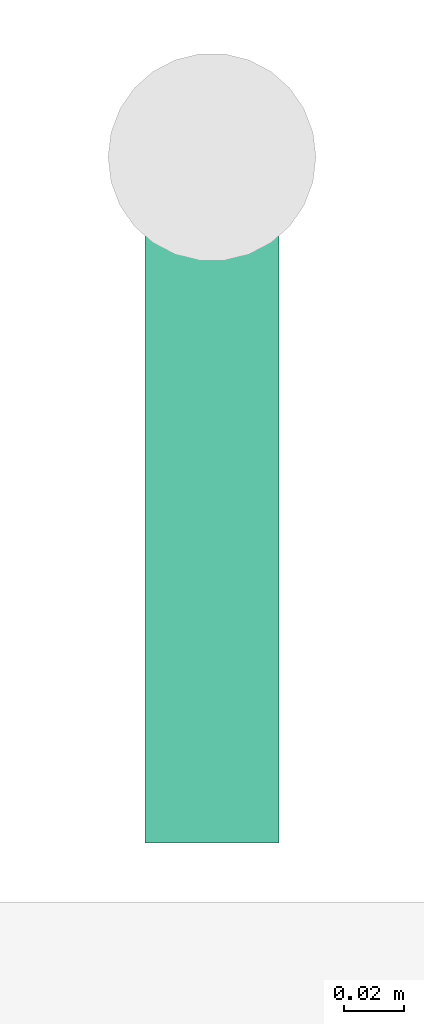
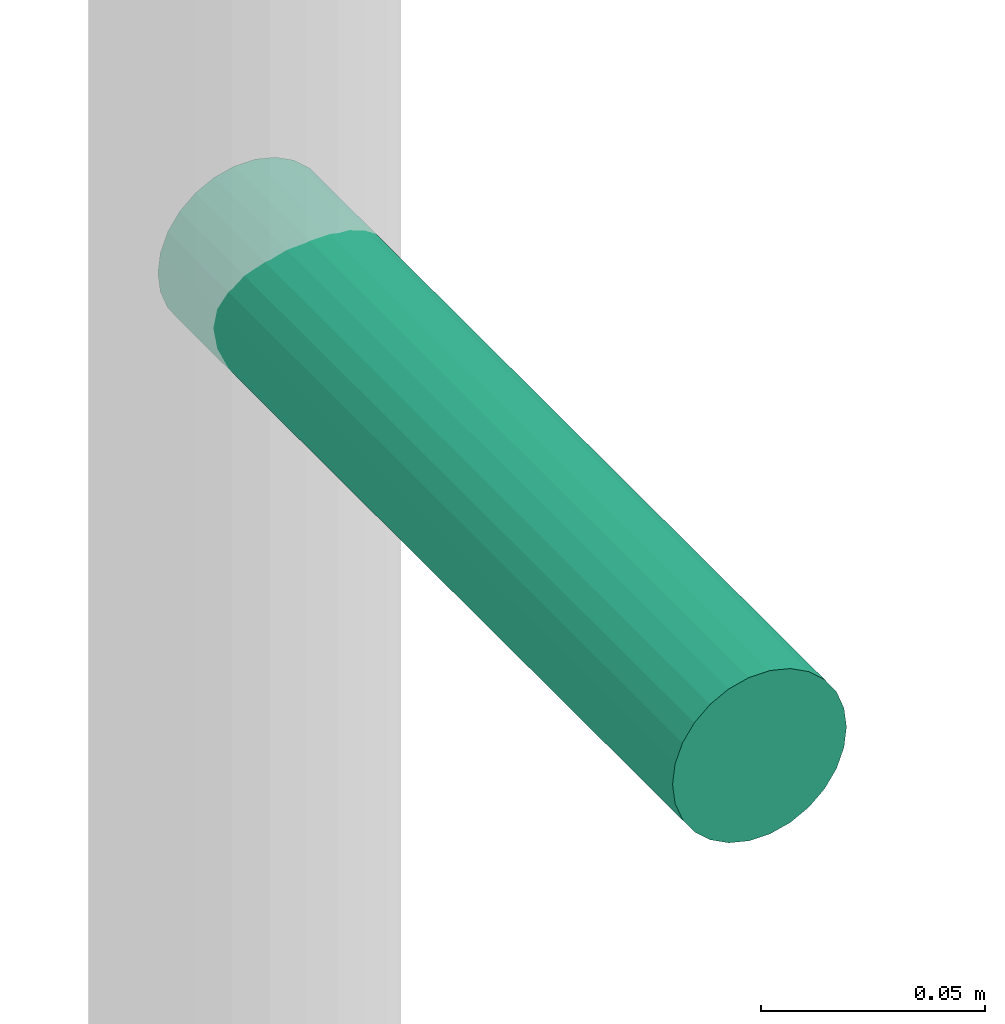
# One storey, part 30 of 31: 1 pipe fitting.
"""IFC4 building model written with IfcOpenShell, lengths in metres."""

import ifcopenshell
import ifcopenshell.guid

model = None  # the IFC model being written
_history = None  # IfcOwnerHistory: only IFC2X3 demands one
_inside = {}  # id of a spatial element -> (the spatial element, [elements in it])
_under = {}  # id of a project, library or spatial element -> (it, [spatial elements below it])
_declared = {}  # id of a project -> (the project, [libraries it declares])
_typed = {}  # id of a type object -> (the type object, [elements of that type])
_made_of = {}  # id of a material, layer set ... -> (it, [elements and type objects made of it])


def new_model(schema):
    """Start an empty IFC model of exactly this schema.

    Asked for "IFC4X3", IfcOpenShell would pick the latest addendum, in which some entities
    have other attributes; the version numbers below select the first issue.
    IFC2X3 requires an IfcOwnerHistory on every rooted entity: one is made here for all.
    """
    global model, _history
    if schema == "IFC4X3":
        model = ifcopenshell.file(schema_version=(4, 3, 0, 0))
    else:
        model = ifcopenshell.file(schema=schema)
    _inside.clear()
    _under.clear()
    _declared.clear()
    _typed.clear()
    _made_of.clear()
    _history = None
    if model.schema == "IFC2X3":
        org = make("IfcOrganization", Name="unknown")
        user = make(
            "IfcPersonAndOrganization",
            ThePerson=make("IfcPerson", FamilyName="unknown"),
            TheOrganization=org,
        )
        app = make(
            "IfcApplication",
            ApplicationDeveloper=org,
            Version="unknown",
            ApplicationFullName="unknown",
            ApplicationIdentifier="unknown",
        )
        _history = make(
            "IfcOwnerHistory",
            OwningUser=user,
            OwningApplication=app,
            ChangeAction="ADDED",
            CreationDate=0,
        )
    return model


def make(cls, **values):
    """One entity of the class cls with the attributes given. An attribute that is None is left unset."""
    return model.create_entity(
        cls, **{name: value for name, value in values.items() if value is not None}
    )


def rooted(cls, **values):
    """An entity with a GlobalId (a new one), such as an element, a storey or a relation."""
    return make(cls, GlobalId=ifcopenshell.guid.new(), OwnerHistory=_history, **values)


def si_unit(unit_type, name, prefix=None):
    """IfcSIUnit, for example si_unit("LENGTHUNIT", "METRE", prefix="MILLI")."""
    return make("IfcSIUnit", UnitType=unit_type, Prefix=prefix, Name=name)


def assignment(units):
    """IfcUnitAssignment: the units of a project."""
    return None if units is None else make("IfcUnitAssignment", Units=units)


def point(xyz):
    """IfcCartesianPoint."""
    return None if xyz is None else make("IfcCartesianPoint", Coordinates=xyz)


def direction(xyz):
    """IfcDirection."""
    return None if xyz is None else make("IfcDirection", DirectionRatios=xyz)


def frame(location, z_axis=None, x_axis=None):
    """IfcAxis2Placement3D, a coordinate frame: its origin and axes. An axis left out is left unset."""
    return make(
        "IfcAxis2Placement3D",
        Location=point(location),
        Axis=direction(z_axis),
        RefDirection=direction(x_axis),
    )


def frame_2d(location, x_axis=None):
    """IfcAxis2Placement2D, a coordinate frame in the plane: its origin and x axis."""
    return make(
        "IfcAxis2Placement2D", Location=point(location), RefDirection=direction(x_axis)
    )


def origin():
    """The frame at (0, 0, 0) with its axes left unset."""
    return frame((0.0, 0.0, 0.0))


def origin_2d():
    """The frame at (0, 0) in the plane with its x axis left unset."""
    return frame_2d((0.0, 0.0))


def place(relative_to, where):
    """IfcLocalPlacement: puts the frame where relative to a parent placement (None: the world)."""
    return make(
        "IfcLocalPlacement", PlacementRelTo=relative_to, RelativePlacement=where
    )


def context(
    kind, dimensions, precision=None, world=None, true_north=None, identifier=None
):
    """IfcGeometricRepresentationContext, for example the 3D "Model" context."""
    return make(
        "IfcGeometricRepresentationContext",
        ContextIdentifier=identifier,
        ContextType=kind,
        CoordinateSpaceDimension=dimensions,
        Precision=precision,
        WorldCoordinateSystem=world,
        TrueNorth=true_north,
    )


def subcontext(parent, identifier, kind, view, scale=None):
    """IfcGeometricRepresentationSubContext, for example "Body" below "Model"."""
    return make(
        "IfcGeometricRepresentationSubContext",
        ContextIdentifier=identifier,
        ContextType=kind,
        ParentContext=parent,
        TargetScale=scale,
        TargetView=view,
    )


def project(units=None, contexts=None):
    """IfcProject with its units and contexts."""
    return rooted(
        "IfcProject",
        Name="project",
        RepresentationContexts=contexts,
        UnitsInContext=assignment(units),
    )


def spatial(cls, under=None, at=None, **own):
    """A site, building, storey or space (cls), placed at a placement, below another one or the project."""
    s = rooted(cls, ObjectPlacement=at, **own)
    if under is not None:
        _under.setdefault(under.id(), (under, []))[1].append(s)
    return s


def profile(cls, at=None, kind="AREA", **sizes):
    """A parametric profile (cls). Its sizes go by their IFC names, for example OverallWidth=200.0."""
    return make(cls, ProfileType=kind, Position=at, **sizes)


def circle(**sizes):
    """IfcCircleProfileDef."""
    return profile("IfcCircleProfileDef", **sizes)


def extrude(swept, where, along, depth):
    """IfcExtrudedAreaSolid: the profile swept, set in the frame where, extruded along a direction by depth."""
    return make(
        "IfcExtrudedAreaSolid",
        SweptArea=swept,
        Position=where,
        ExtrudedDirection=direction(along),
        Depth=depth,
    )


def shape(context_of_items, identifier, shape_type, items):
    """IfcShapeRepresentation: the items that make up one representation, for example the "Body"."""
    return make(
        "IfcShapeRepresentation",
        ContextOfItems=context_of_items,
        RepresentationIdentifier=identifier,
        RepresentationType=shape_type,
        Items=items,
    )


def made_of(thing, what):
    """Note that an element or type object is made of a material, layer set ...; save() writes the relation."""
    if what is not None:
        _made_of.setdefault(what.id(), (what, []))[1].append(thing)
    return thing


def element(
    cls,
    number,
    at=None,
    inside=None,
    cuts=None,
    type_object=None,
    material=None,
    context=None,
    identifier="Body",
    shape_type=None,
    held_by="IfcProductDefinitionShape",
    body=None,
    shapes=None,
    **own,
):
    """One element of the class cls, such as IfcWall. Its Tag is "e" and its number.

    at: its placement. inside: the storey or other place that contains it. cuts: it is an
    opening in that element (IfcRelVoidsElement). A single representation is given by context,
    identifier, shape_type and body (its items); several are given by shapes. held_by: the class
    of the entity that holds the representations. save() writes the other relations.
    """
    e = rooted(cls, Tag="e%d" % number, ObjectPlacement=at, **own)
    if body is not None:
        shapes = [shape(context, identifier, shape_type, body)]
    if shapes is not None:
        e.Representation = make(held_by, Representations=shapes)
    if inside is not None:
        _inside.setdefault(inside.id(), (inside, []))[1].append(e)
    if cuts is not None:
        rooted(
            "IfcRelVoidsElement", RelatingBuildingElement=cuts, RelatedOpeningElement=e
        )
    if type_object is not None:
        _typed.setdefault(type_object.id(), (type_object, []))[1].append(e)
    return made_of(e, material)


def aggregate(whole, parts):
    """IfcRelAggregates: a whole, such as a stair, and the parts it consists of."""
    return rooted("IfcRelAggregates", RelatingObject=whole, RelatedObjects=parts)


def save(model, path):
    """Write the relations noted so far, then the file.

    IfcRelAggregates (storeys below a building ...), IfcRelContainedInSpatialStructure (elements
    in a storey), IfcRelDefinesByType, IfcRelAssociatesMaterial and IfcRelDeclares: one each for
    every whole, place, type object, material and project.
    """
    for whole, parts in _under.values():
        aggregate(whole, parts)
    for where, things in _inside.values():
        rooted(
            "IfcRelContainedInSpatialStructure",
            RelatedElements=things,
            RelatingStructure=where,
        )
    for kind, things in _typed.values():
        rooted("IfcRelDefinesByType", RelatedObjects=things, RelatingType=kind)
    for what, things in _made_of.values():
        rooted("IfcRelAssociatesMaterial", RelatedObjects=things, RelatingMaterial=what)
    for by, libraries in _declared.values():
        rooted("IfcRelDeclares", RelatingContext=by, RelatedDefinitions=libraries)
    model.write(path)


model = new_model("IFC4")

# Units and contexts
model_context = context("Model", 3, precision=1e-05, world=origin(), true_north=direction((0.0, 1.0)))
body_context = subcontext(model_context, "Body", "Model", "MODEL_VIEW")
ifc_project = project(units=[si_unit("LENGTHUNIT", "METRE"), si_unit("AREAUNIT", "SQUARE_METRE"), si_unit("VOLUMEUNIT", "CUBIC_METRE"), si_unit("PLANEANGLEUNIT", "RADIAN"), si_unit("MASSUNIT", "GRAM", prefix="KILO")], contexts=[model_context])

# Site, building, storey
site_placement = place(None, origin())
site = spatial("IfcSite", under=ifc_project, at=site_placement, CompositionType="ELEMENT")
building_placement = place(site_placement, origin())
building = spatial("IfcBuilding", under=site, at=building_placement, Name="Nzadi Deep Aquarium and Research Tower", CompositionType="ELEMENT")
storey_placement = place(building_placement, frame((0.0, 0.0, 21.699951171875)))
storey = spatial("IfcBuildingStorey", under=building, at=storey_placement, Name="L03", CompositionType="ELEMENT", Elevation=21.699951171875)

# Pipe fitting
pipe_fitting_placement = place(storey_placement, frame((2.300048828125, 116.360107421875, 1.10009765625), z_axis=(0.0, -1.0, 0.0), x_axis=(1.0, 0.0, 0.0)))
element("IfcPipeFitting", 1, at=pipe_fitting_placement, inside=storey, Name="Dry riser outlet ST-Z3-W L03", PredefinedType="EXIT", context=body_context, shape_type="SweptSolid", body=[
    extrude(circle(Radius=0.0224609375, at=origin_2d()), origin(), (0.0, 0.0, 1.0), 0.230224609375),
])

save(model, "model.ifc")
